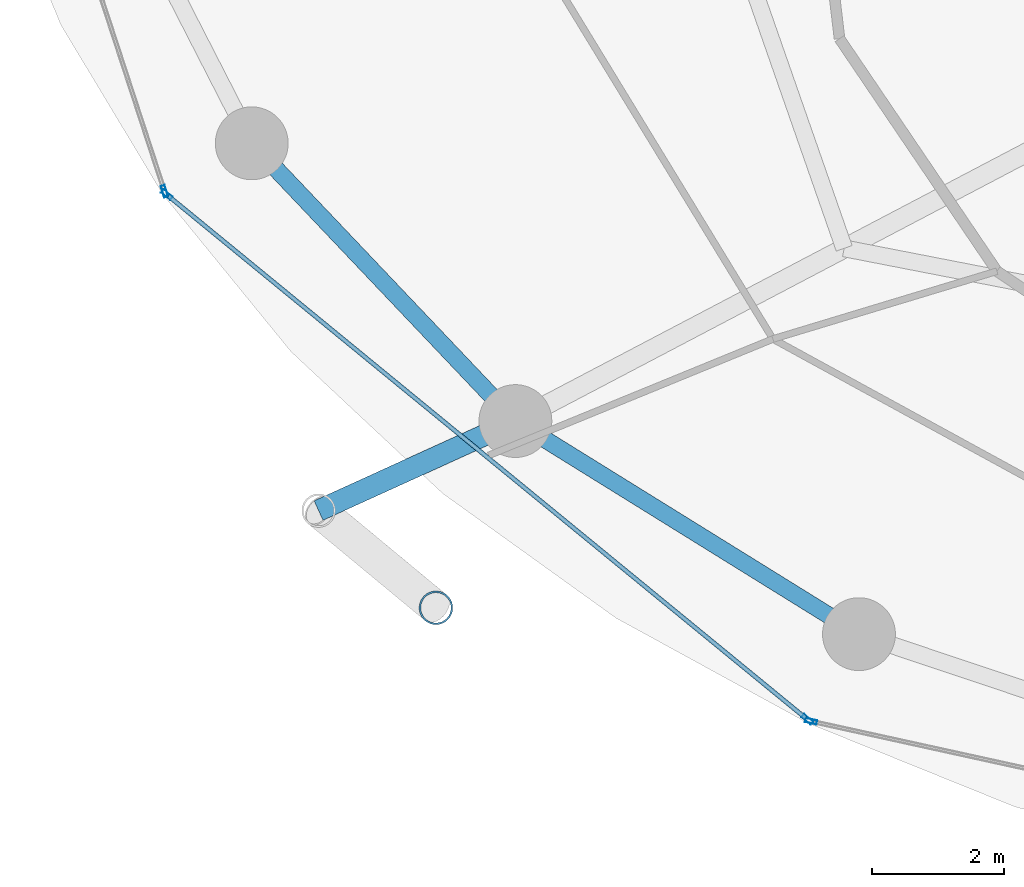
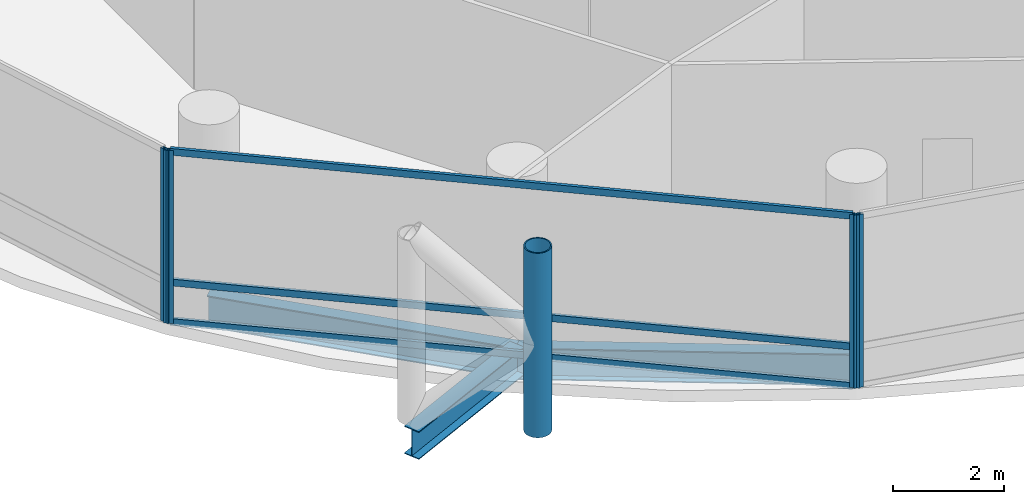
# One storey, part 2 of 25: 8 members, 3 beams, 3 elements without a shape of their own.
"""IFC4 building model written with IfcOpenShell, lengths in metres."""

import ifcopenshell
import ifcopenshell.guid

model = None  # the IFC model being written
_history = None  # IfcOwnerHistory: only IFC2X3 demands one
_inside = {}  # id of a spatial element -> (the spatial element, [elements in it])
_under = {}  # id of a project, library or spatial element -> (it, [spatial elements below it])
_declared = {}  # id of a project -> (the project, [libraries it declares])
_typed = {}  # id of a type object -> (the type object, [elements of that type])
_made_of = {}  # id of a material, layer set ... -> (it, [elements and type objects made of it])


def new_model(schema):
    """Start an empty IFC model of exactly this schema.

    Asked for "IFC4X3", IfcOpenShell would pick the latest addendum, in which some entities
    have other attributes; the version numbers below select the first issue.
    IFC2X3 requires an IfcOwnerHistory on every rooted entity: one is made here for all.
    """
    global model, _history
    if schema == "IFC4X3":
        model = ifcopenshell.file(schema_version=(4, 3, 0, 0))
    else:
        model = ifcopenshell.file(schema=schema)
    _inside.clear()
    _under.clear()
    _declared.clear()
    _typed.clear()
    _made_of.clear()
    _history = None
    if model.schema == "IFC2X3":
        org = make("IfcOrganization", Name="unknown")
        user = make(
            "IfcPersonAndOrganization",
            ThePerson=make("IfcPerson", FamilyName="unknown"),
            TheOrganization=org,
        )
        app = make(
            "IfcApplication",
            ApplicationDeveloper=org,
            Version="unknown",
            ApplicationFullName="unknown",
            ApplicationIdentifier="unknown",
        )
        _history = make(
            "IfcOwnerHistory",
            OwningUser=user,
            OwningApplication=app,
            ChangeAction="ADDED",
            CreationDate=0,
        )
    return model


def make(cls, **values):
    """One entity of the class cls with the attributes given. An attribute that is None is left unset."""
    return model.create_entity(
        cls, **{name: value for name, value in values.items() if value is not None}
    )


def rooted(cls, **values):
    """An entity with a GlobalId (a new one), such as an element, a storey or a relation."""
    return make(cls, GlobalId=ifcopenshell.guid.new(), OwnerHistory=_history, **values)


def si_unit(unit_type, name, prefix=None):
    """IfcSIUnit, for example si_unit("LENGTHUNIT", "METRE", prefix="MILLI")."""
    return make("IfcSIUnit", UnitType=unit_type, Prefix=prefix, Name=name)


def assignment(units):
    """IfcUnitAssignment: the units of a project."""
    return None if units is None else make("IfcUnitAssignment", Units=units)


def point(xyz):
    """IfcCartesianPoint."""
    return None if xyz is None else make("IfcCartesianPoint", Coordinates=xyz)


def direction(xyz):
    """IfcDirection."""
    return None if xyz is None else make("IfcDirection", DirectionRatios=xyz)


def frame(location, z_axis=None, x_axis=None):
    """IfcAxis2Placement3D, a coordinate frame: its origin and axes. An axis left out is left unset."""
    return make(
        "IfcAxis2Placement3D",
        Location=point(location),
        Axis=direction(z_axis),
        RefDirection=direction(x_axis),
    )


def frame_2d(location, x_axis=None):
    """IfcAxis2Placement2D, a coordinate frame in the plane: its origin and x axis."""
    return make(
        "IfcAxis2Placement2D", Location=point(location), RefDirection=direction(x_axis)
    )


def origin():
    """The frame at (0, 0, 0) with its axes left unset."""
    return frame((0.0, 0.0, 0.0))


def origin_2d():
    """The frame at (0, 0) in the plane with its x axis left unset."""
    return frame_2d((0.0, 0.0))


def place(relative_to, where):
    """IfcLocalPlacement: puts the frame where relative to a parent placement (None: the world)."""
    return make(
        "IfcLocalPlacement", PlacementRelTo=relative_to, RelativePlacement=where
    )


def context(
    kind, dimensions, precision=None, world=None, true_north=None, identifier=None
):
    """IfcGeometricRepresentationContext, for example the 3D "Model" context."""
    return make(
        "IfcGeometricRepresentationContext",
        ContextIdentifier=identifier,
        ContextType=kind,
        CoordinateSpaceDimension=dimensions,
        Precision=precision,
        WorldCoordinateSystem=world,
        TrueNorth=true_north,
    )


def subcontext(parent, identifier, kind, view, scale=None):
    """IfcGeometricRepresentationSubContext, for example "Body" below "Model"."""
    return make(
        "IfcGeometricRepresentationSubContext",
        ContextIdentifier=identifier,
        ContextType=kind,
        ParentContext=parent,
        TargetScale=scale,
        TargetView=view,
    )


def project(units=None, contexts=None):
    """IfcProject with its units and contexts."""
    return rooted(
        "IfcProject",
        Name="project",
        RepresentationContexts=contexts,
        UnitsInContext=assignment(units),
    )


def spatial(cls, under=None, at=None, **own):
    """A site, building, storey or space (cls), placed at a placement, below another one or the project."""
    s = rooted(cls, ObjectPlacement=at, **own)
    if under is not None:
        _under.setdefault(under.id(), (under, []))[1].append(s)
    return s


def profile(cls, at=None, kind="AREA", **sizes):
    """A parametric profile (cls). Its sizes go by their IFC names, for example OverallWidth=200.0."""
    return make(cls, ProfileType=kind, Position=at, **sizes)


def hollow_rectangle(**sizes):
    """IfcRectangleHollowProfileDef."""
    return profile("IfcRectangleHollowProfileDef", **sizes)


def hollow_circle(**sizes):
    """IfcCircleHollowProfileDef."""
    return profile("IfcCircleHollowProfileDef", **sizes)


def i_section(**sizes):
    """IfcIShapeProfileDef."""
    return profile("IfcIShapeProfileDef", **sizes)


def extrude(swept, where, along, depth):
    """IfcExtrudedAreaSolid: the profile swept, set in the frame where, extruded along a direction by depth."""
    return make(
        "IfcExtrudedAreaSolid",
        SweptArea=swept,
        Position=where,
        ExtrudedDirection=direction(along),
        Depth=depth,
    )


def shape(context_of_items, identifier, shape_type, items):
    """IfcShapeRepresentation: the items that make up one representation, for example the "Body"."""
    return make(
        "IfcShapeRepresentation",
        ContextOfItems=context_of_items,
        RepresentationIdentifier=identifier,
        RepresentationType=shape_type,
        Items=items,
    )


def material(Name=None, Category=None):
    """IfcMaterial."""
    return make("IfcMaterial", Name=Name, Category=Category)


def layer(
    of_material, thickness, ventilated=None, Name=None, Category=None, Priority=None
):
    """IfcMaterialLayer: one layer of a wall or slab, of a material (None: an air gap)."""
    return make(
        "IfcMaterialLayer",
        Material=of_material,
        LayerThickness=thickness,
        IsVentilated=ventilated,
        Name=Name,
        Category=Category,
        Priority=Priority,
    )


def layer_set(layers, Name=None):
    """IfcMaterialLayerSet."""
    return make("IfcMaterialLayerSet", MaterialLayers=layers, LayerSetName=Name)


def material_profile(
    of_material, cross_section, Name=None, Category=None, Priority=None
):
    """IfcMaterialProfile: a cross section and its material."""
    return make(
        "IfcMaterialProfile",
        Name=Name,
        Material=of_material,
        Profile=cross_section,
        Priority=Priority,
        Category=Category,
    )


def profile_set(profiles, Name=None, composite=None):
    """IfcMaterialProfileSet."""
    return make(
        "IfcMaterialProfileSet",
        Name=Name,
        MaterialProfiles=profiles,
        CompositeProfile=composite,
    )


def made_of(thing, what):
    """Note that an element or type object is made of a material, layer set ...; save() writes the relation."""
    if what is not None:
        _made_of.setdefault(what.id(), (what, []))[1].append(thing)
    return thing


def type_object(cls, material=None, **own):
    """A type object (cls), such as IfcWallType, which elements share."""
    return made_of(rooted(cls, **own), material)


def element(
    cls,
    number,
    at=None,
    inside=None,
    cuts=None,
    type_object=None,
    material=None,
    context=None,
    identifier="Body",
    shape_type=None,
    held_by="IfcProductDefinitionShape",
    body=None,
    shapes=None,
    **own,
):
    """One element of the class cls, such as IfcWall. Its Tag is "e" and its number.

    at: its placement. inside: the storey or other place that contains it. cuts: it is an
    opening in that element (IfcRelVoidsElement). A single representation is given by context,
    identifier, shape_type and body (its items); several are given by shapes. held_by: the class
    of the entity that holds the representations. save() writes the other relations.
    """
    e = rooted(cls, Tag="e%d" % number, ObjectPlacement=at, **own)
    if body is not None:
        shapes = [shape(context, identifier, shape_type, body)]
    if shapes is not None:
        e.Representation = make(held_by, Representations=shapes)
    if inside is not None:
        _inside.setdefault(inside.id(), (inside, []))[1].append(e)
    if cuts is not None:
        rooted(
            "IfcRelVoidsElement", RelatingBuildingElement=cuts, RelatedOpeningElement=e
        )
    if type_object is not None:
        _typed.setdefault(type_object.id(), (type_object, []))[1].append(e)
    return made_of(e, material)


def aggregate(whole, parts):
    """IfcRelAggregates: a whole, such as a stair, and the parts it consists of."""
    return rooted("IfcRelAggregates", RelatingObject=whole, RelatedObjects=parts)


def save(model, path):
    """Write the relations noted so far, then the file.

    IfcRelAggregates (storeys below a building ...), IfcRelContainedInSpatialStructure (elements
    in a storey), IfcRelDefinesByType, IfcRelAssociatesMaterial and IfcRelDeclares: one each for
    every whole, place, type object, material and project.
    """
    for whole, parts in _under.values():
        aggregate(whole, parts)
    for where, things in _inside.values():
        rooted(
            "IfcRelContainedInSpatialStructure",
            RelatedElements=things,
            RelatingStructure=where,
        )
    for kind, things in _typed.values():
        rooted("IfcRelDefinesByType", RelatedObjects=things, RelatingType=kind)
    for what, things in _made_of.values():
        rooted("IfcRelAssociatesMaterial", RelatedObjects=things, RelatingMaterial=what)
    for by, libraries in _declared.values():
        rooted("IfcRelDeclares", RelatingContext=by, RelatedDefinitions=libraries)
    model.write(path)


model = new_model("IFC4")

# Units and contexts
model_context = context("Model", 3, precision=1e-05, world=origin(), true_north=direction((0.0, 1.0)))
body_context = subcontext(model_context, "Body", "Model", "MODEL_VIEW")
ifc_project = project(units=[si_unit("LENGTHUNIT", "METRE"), si_unit("AREAUNIT", "SQUARE_METRE"), si_unit("VOLUMEUNIT", "CUBIC_METRE"), si_unit("PLANEANGLEUNIT", "RADIAN"), si_unit("MASSUNIT", "GRAM", prefix="KILO")], contexts=[model_context])

# Site, building, storey
site_placement = place(None, origin())
site = spatial("IfcSite", under=ifc_project, at=site_placement, CompositionType="ELEMENT")
building_placement = place(site_placement, origin())
building = spatial("IfcBuilding", under=site, at=building_placement, Name="Nuhasar Tower", CompositionType="ELEMENT")
storey_placement = place(building_placement, frame((0.0, 0.0, 65.550048828125)))
storey = spatial("IfcBuildingStorey", under=building, at=storey_placement, Name="L15", CompositionType="ELEMENT", Elevation=65.550048828125)

# Beams
ifc_material_1 = material(Name="Steel S355", Category="steel")
ifc_material_profile_1 = material_profile(ifc_material_1, i_section(OverallWidth=0.256103515625, OverallDepth=0.693115234375, WebThickness=0.014404296875, FlangeThickness=0.023681640625, at=origin_2d()), Name="W27X114")
ifc_profile_set_1 = profile_set([ifc_material_profile_1], Name="Steel S355")
beam_type_1 = type_object("IfcBeamType", Name="BM-RING-W27X114", PredefinedType="SPANDREL", material=ifc_profile_set_1)
beam_1_placement = place(storey_placement, frame((17.305908203125, 16.675048828125, -0.59716796875), z_axis=(0.688459812429, -0.725274490569, 0.0), x_axis=(0.725274490569, 0.688459812429, 0.0)))
element("IfcBeam", 1, at=beam_1_placement, inside=storey, type_object=beam_type_1, Name="L15 Perimeter Ring Spandrel 15", PredefinedType="SPANDREL", context=body_context, shape_type="SweptSolid", body=[
    extrude(i_section(OverallWidth=0.256103515625, OverallDepth=0.693115234375, WebThickness=0.014404296875, FlangeThickness=0.023681640625, at=origin_2d()), origin(), (0.0, 0.0, 1.0), 5.78271484375),
])
beam_2_placement = place(storey_placement, frame((21.287109375, 12.48095703125, -0.59716796875), z_axis=(0.849795216549, -0.527112976439, 0.0), x_axis=(0.527112976439, 0.849795216549, 0.0)))
element("IfcBeam", 2, at=beam_2_placement, inside=storey, type_object=beam_type_1, Name="L15 Perimeter Ring Spandrel 16", PredefinedType="SPANDREL", context=body_context, shape_type="SweptSolid", body=[
    extrude(i_section(OverallWidth=0.256103515625, OverallDepth=0.693115234375, WebThickness=0.014404296875, FlangeThickness=0.023681640625, at=origin_2d()), origin(), (0.0, 0.0, 1.0), 6.10498046875),
])
ifc_material_profile_2 = material_profile(ifc_material_1, i_section(OverallWidth=0.323974609375, OverallDepth=0.611083984375, WebThickness=0.0126953125, FlangeThickness=0.01904296875, at=origin_2d()), Name="W24X104")
ifc_profile_set_2 = profile_set([ifc_material_profile_2], Name="Steel S355")
beam_type_2 = type_object("IfcBeamType", Name="BM-TIE-W24X104", PredefinedType="BEAM", material=ifc_profile_set_2)
beam_3_placement = place(storey_placement, frame((21.287109375, 12.48095703125, -0.554931640625), z_axis=(-0.910243528587, -0.414073325227, 0.0), x_axis=(0.414073325227, -0.910243528587, 0.0)))
element("IfcBeam", 3, at=beam_3_placement, inside=storey, type_object=beam_type_2, Name="L15 Exoskeleton Node Tie Beam 08", PredefinedType="BEAM", context=body_context, shape_type="SweptSolid", body=[
    extrude(i_section(OverallWidth=0.323974609375, OverallDepth=0.611083984375, WebThickness=0.0126953125, FlangeThickness=0.01904296875, at=origin_2d()), origin(), (0.0, 0.0, 1.0), 3.26513671875),
])

# Curtain wall, member
ifc_material_2 = material(Name="Aluminium 6063-T6", Category="aluminium")
ifc_layer = layer(ifc_material_2, 0.199951171875)
ifc_layer_set = layer_set([ifc_layer], Name="Aluminium 6063-T6")
curtain_wall_type = type_object("IfcCurtainWallType", Name="CW-Z1-OFF", PredefinedType="NOTDEFINED", material=ifc_layer_set)
curtain_wall_1_placement = place(storey_placement, origin())
curtain_wall_1 = element("IfcCurtainWall", 4, at=curtain_wall_1_placement, inside=storey, type_object=curtain_wall_type, Name="L15 Unitised Curtain Wall 07", PredefinedType="NOTDEFINED")
ifc_material_profile_3 = material_profile(ifc_material_2, hollow_rectangle(XDim=0.06494140625, YDim=0.179931640625, WallThickness=0.0048828125, at=origin_2d()), Name="CWM-2")
ifc_profile_set_3 = profile_set([ifc_material_profile_3], Name="Aluminium 6063-T6")
member_type_1 = type_object("IfcMemberType", Name="CW-MUL-S2", PredefinedType="MULLION", material=ifc_profile_set_3)
member_1_placement = place(storey_placement, frame((15.98779296875, 15.950927734375, 0.0), z_axis=(0.0, 0.0, 1.0), x_axis=(0.950467534571, 0.310823849997, 0.0)))
member_1 = element("IfcMember", 5, at=member_1_placement, type_object=member_type_1, Name="CW-Z1 mullion 2", PredefinedType="MULLION", context=body_context, shape_type="SweptSolid", body=[
    extrude(hollow_rectangle(XDim=0.06494140625, YDim=0.179931640625, WallThickness=0.0048828125, at=origin_2d()), origin(), (0.0, 0.0, 1.0), 3.800048828125),
])
aggregate(curtain_wall_1, [member_1])

# Curtain wall, members
curtain_wall_2_placement = place(storey_placement, origin())
curtain_wall_2 = element("IfcCurtainWall", 6, at=curtain_wall_2_placement, inside=storey, type_object=curtain_wall_type, Name="L15 Unitised Curtain Wall 08", PredefinedType="NOTDEFINED")
member_2_placement = place(storey_placement, frame((16.023193359375, 15.8994140625, 0.0), z_axis=(0.0, 0.0, 1.0), x_axis=(0.633744593376, 0.773542364946, 0.0)))
member_2 = element("IfcMember", 7, at=member_2_placement, type_object=member_type_1, Name="CW-Z1 mullion 1", PredefinedType="MULLION", context=body_context, shape_type="SweptSolid", body=[
    extrude(hollow_rectangle(XDim=0.06494140625, YDim=0.179931640625, WallThickness=0.0048828125, at=origin_2d()), origin(), (0.0, 0.0, 1.0), 3.800048828125),
])
member_3_placement = place(storey_placement, frame((25.69482421875, 7.9755859375, 0.0), z_axis=(0.0, 0.0, 1.0), x_axis=(0.633744593376, 0.773542364946, 0.0)))
member_3 = element("IfcMember", 8, at=member_3_placement, type_object=member_type_1, Name="CW-Z1 mullion 2", PredefinedType="MULLION", context=body_context, shape_type="SweptSolid", body=[
    extrude(hollow_rectangle(XDim=0.06494140625, YDim=0.179931640625, WallThickness=0.0048828125, at=origin_2d()), origin(), (0.0, 0.0, 1.0), 3.800048828125),
])

# Curtain wall, member
curtain_wall_3_placement = place(storey_placement, origin())
curtain_wall_3 = element("IfcCurtainWall", 9, at=curtain_wall_3_placement, inside=storey, type_object=curtain_wall_type, Name="L15 Unitised Curtain Wall 09", PredefinedType="NOTDEFINED")
member_4_placement = place(storey_placement, frame((25.751708984375, 7.947998046875, 0.0), z_axis=(0.0, 0.0, 1.0), x_axis=(0.214398737637, 0.976746221544, 0.0)))
member_4 = element("IfcMember", 10, at=member_4_placement, type_object=member_type_1, Name="CW-Z1 mullion 1", PredefinedType="MULLION", context=body_context, shape_type="SweptSolid", body=[
    extrude(hollow_rectangle(XDim=0.06494140625, YDim=0.179931640625, WallThickness=0.0048828125, at=origin_2d()), origin(), (0.0, 0.0, 1.0), 3.800048828125),
])
aggregate(curtain_wall_3, [member_4])

# Member
ifc_material_profile_4 = material_profile(ifc_material_2, hollow_rectangle(XDim=0.06494140625, YDim=0.14990234375, WallThickness=0.00439453125, at=origin_2d()), Name="CWT-2")
ifc_profile_set_4 = profile_set([ifc_material_profile_4], Name="Aluminium 6063-T6")
member_type_2 = type_object("IfcMemberType", Name="CW-TRN-S2", PredefinedType="USERDEFINED", material=ifc_profile_set_4)
member_5_placement = place(storey_placement, frame((16.04833984375, 15.87890625, 0.032470703125), z_axis=(0.773531229158, -0.633758185365, 0.0), x_axis=(0.633758185365, 0.773531229158, 0.0)))
member_5 = element("IfcMember", 11, at=member_5_placement, type_object=member_type_2, Name="CW-Z1 transom 1.1", ObjectType="TRANSOM", PredefinedType="USERDEFINED", context=body_context, shape_type="SweptSolid", body=[
    extrude(hollow_rectangle(XDim=0.06494140625, YDim=0.14990234375, WallThickness=0.00439453125, at=origin_2d()), origin(), (0.0, 0.0, 1.0), 12.438232421875),
])

member_6_placement = place(storey_placement, frame((16.04833984375, 15.87890625, 0.89990234375), z_axis=(0.773531229158, -0.633758185365, 0.0), x_axis=(0.633758185365, 0.773531229158, 0.0)))
member_6 = element("IfcMember", 12, at=member_6_placement, type_object=member_type_2, Name="CW-Z1 transom 1.2", ObjectType="TRANSOM", PredefinedType="USERDEFINED", context=body_context, shape_type="SweptSolid", body=[
    extrude(hollow_rectangle(XDim=0.06494140625, YDim=0.14990234375, WallThickness=0.00439453125, at=origin_2d()), origin(), (0.0, 0.0, 1.0), 12.438232421875),
])

member_7_placement = place(storey_placement, frame((16.04833984375, 15.87890625, 3.767333984375), z_axis=(0.773531229158, -0.633758185365, 0.0), x_axis=(0.633758185365, 0.773531229158, 0.0)))
member_7 = element("IfcMember", 13, at=member_7_placement, type_object=member_type_2, Name="CW-Z1 transom 1.3", ObjectType="TRANSOM", PredefinedType="USERDEFINED", context=body_context, shape_type="SweptSolid", body=[
    extrude(hollow_rectangle(XDim=0.06494140625, YDim=0.14990234375, WallThickness=0.00439453125, at=origin_2d()), origin(), (0.0, 0.0, 1.0), 12.438232421875),
])

aggregate(curtain_wall_2, [member_2, member_3, member_5, member_6, member_7])

ifc_material_3 = material(Name="Steel S460", Category="steel")
ifc_material_profile_5 = material_profile(ifc_material_3, hollow_circle(Radius=0.25390625, WallThickness=0.025390625, at=origin_2d()), Name="HSS508X25.4")
ifc_profile_set_5 = profile_set([ifc_material_profile_5], Name="Steel S460")
member_type_3 = type_object("IfcMemberType", Name="EXO-BRONZE-508", PredefinedType="BRACE", material=ifc_profile_set_5)
member_8_placement = place(storey_placement, frame((20.0869140625, 9.660888671875, 0.0), z_axis=(0.0, 0.0, 1.0), x_axis=(1.0, 0.0, 0.0)))
element("IfcMember", 14, at=member_8_placement, inside=storey, type_object=member_type_3, Name="L15 Exoskeleton Chord Column EC-08B", PredefinedType="BRACE", context=body_context, shape_type="SweptSolid", body=[
    extrude(hollow_circle(Radius=0.25390625, WallThickness=0.025390625, at=origin_2d()), origin(), (0.0, 0.0, 1.0), 4.050048828125),
])

save(model, "model.ifc")
